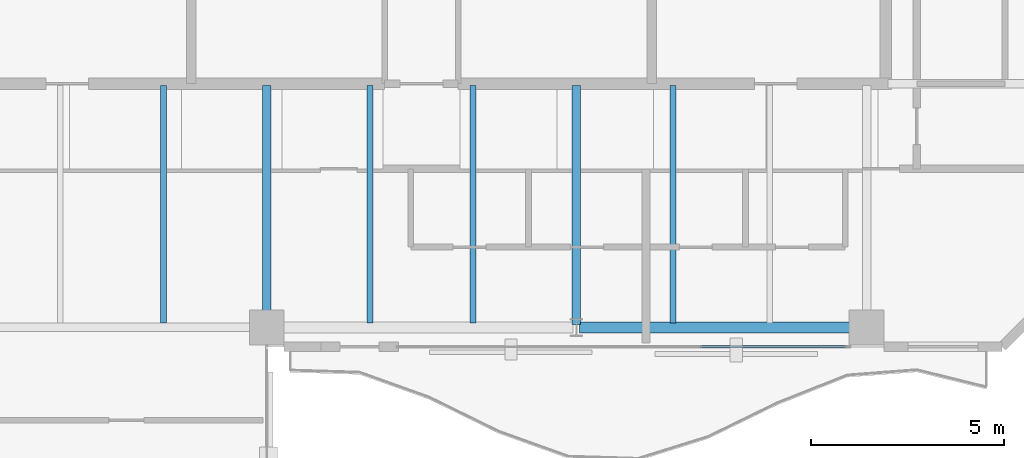
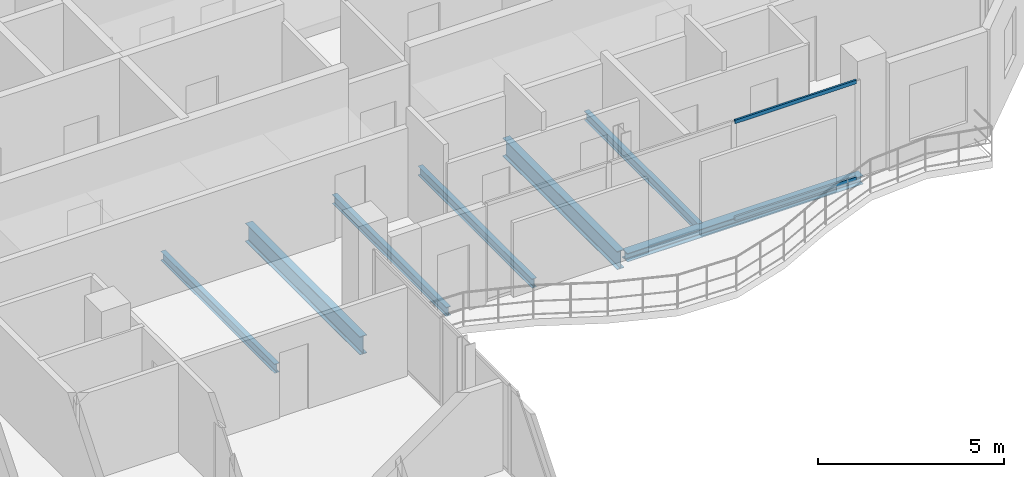
# One storey, part 13 of 22: 7 beams, 2 members, 1 element without a shape of its own.
"""IFC4 building model written with IfcOpenShell, lengths in metres."""

from ifc_helpers import new_model, si_unit, direction, frame, origin, origin_2d, place, context, subcontext, project, spatial, hollow_rectangle, i_section, extrude, material, layer, layer_set, material_profile, profile_set, type_object, element, aggregate, save


model = new_model("IFC4")

# Units and contexts
model_context = context("Model", 3, precision=1e-05, world=origin(), true_north=direction((0.0, 1.0)))
body_context = subcontext(model_context, "Body", "Model", "MODEL_VIEW")
ifc_project = project(units=[si_unit("LENGTHUNIT", "METRE"), si_unit("AREAUNIT", "SQUARE_METRE"), si_unit("VOLUMEUNIT", "CUBIC_METRE"), si_unit("PLANEANGLEUNIT", "RADIAN"), si_unit("MASSUNIT", "GRAM", prefix="KILO")], contexts=[model_context])

# Site, building, storey
site_placement = place(None, origin())
site = spatial("IfcSite", under=ifc_project, at=site_placement, CompositionType="ELEMENT")
building_placement = place(site_placement, origin())
building = spatial("IfcBuilding", under=site, at=building_placement, Name="Catumbela Crestline Tower", CompositionType="ELEMENT")
storey_placement = place(building_placement, frame((0.0, 0.0, 226.0)))
storey = spatial("IfcBuildingStorey", under=building, at=storey_placement, Name="L58", CompositionType="ELEMENT", Elevation=226.0)

# Beams
ifc_material_1 = material(Name="Structural steel S355J2", Category="steel")
ifc_material_profile_1 = material_profile(ifc_material_1, i_section(OverallWidth=0.22, OverallDepth=0.6, WebThickness=0.012, FlangeThickness=0.019, FilletRadius=0.024, at=origin_2d()), Name="IPE 600")
ifc_profile_set_1 = profile_set([ifc_material_profile_1], Name="Structural steel S355J2")
beam_type_1 = type_object("IfcBeamType", Name="BG-IPE600", PredefinedType="BEAM", material=ifc_profile_set_1)
for number, where, z_axis, x_axis, name in (
    (1, (24.0, 24.58, -0.56), (0.0, 1.0, 0.0), (-1.0, 0.0, 0.0), "L58 Beam BM-L58-SNS16"),
    (2, (32.0, 24.58, -0.56), (0.0, 1.0, 0.0), (-1.0, 0.0, 0.0), "L58 Beam BM-L58-SNS17"),
):
    element("IfcBeam", number, at=place(storey_placement, frame(where, z_axis=z_axis, x_axis=x_axis)), inside=storey, type_object=beam_type_1, Name=name, PredefinedType="BEAM", context=body_context, shape_type="SweptSolid", body=[
        extrude(i_section(OverallWidth=0.22, OverallDepth=0.6, WebThickness=0.012, FlangeThickness=0.019, FilletRadius=0.024, at=origin_2d()), origin(), (0.0, 0.0, 1.0), 6.17),
    ])
ifc_material_profile_2 = material_profile(ifc_material_1, i_section(OverallWidth=0.15, OverallDepth=0.3, WebThickness=0.0071, FlangeThickness=0.0107, FilletRadius=0.015, at=origin_2d()), Name="IPE 300")
ifc_profile_set_2 = profile_set([ifc_material_profile_2], Name="Structural steel S355J2")
beam_type_2 = type_object("IfcBeamType", Name="BJ-IPE300", PredefinedType="JOIST", material=ifc_profile_set_2)
for number, where, z_axis, x_axis, name in (
    (3, (21.333, 24.61, -0.41), (0.0, 1.0, 0.0), (-1.0, 0.0, 0.0), "L58 Joist JS-L58-SP22"),
    (4, (26.667, 24.61, -0.41), (0.0, 1.0, 0.0), (-1.0, 0.0, 0.0), "L58 Joist JS-L58-SP23"),
    (5, (29.333, 24.61, -0.41), (0.0, 1.0, 0.0), (-1.0, 0.0, 0.0), "L58 Joist JS-L58-SP24"),
    (6, (34.5, 24.61, -0.41), (0.0, 1.0, 0.0), (-1.0, 0.0, 0.0), "L58 Joist JS-L58-SP25"),
):
    element("IfcBeam", number, at=place(storey_placement, frame(where, z_axis=z_axis, x_axis=x_axis)), inside=storey, type_object=beam_type_2, Name=name, PredefinedType="JOIST", context=body_context, shape_type="SweptSolid", body=[
        extrude(i_section(OverallWidth=0.15, OverallDepth=0.3, WebThickness=0.0071, FlangeThickness=0.0107, FilletRadius=0.015, at=origin_2d()), origin(), (0.0, 0.0, 1.0), 6.14),
    ])
ifc_material_profile_3 = material_profile(ifc_material_1, i_section(OverallWidth=0.28, OverallDepth=0.28, WebThickness=0.0105, FlangeThickness=0.018, FilletRadius=0.024, at=origin_2d()), Name="HEB 280")
ifc_profile_set_3 = profile_set([ifc_material_profile_3], Name="Structural steel S355J2")
beam_type_3 = type_object("IfcBeamType", Name="BS-HEB280", PredefinedType="SPANDREL", material=ifc_profile_set_3)
beam_placement = place(storey_placement, frame((32.08, 24.5, -0.4), z_axis=(1.0, 0.0, 0.0), x_axis=(0.0, 1.0, 0.0)))
element("IfcBeam", 7, at=beam_placement, inside=storey, type_object=beam_type_3, Name="L58 Spandrel SP-L58-S05", PredefinedType="SPANDREL", context=body_context, shape_type="SweptSolid", body=[
    extrude(i_section(OverallWidth=0.28, OverallDepth=0.28, WebThickness=0.0105, FlangeThickness=0.018, FilletRadius=0.024, at=origin_2d()), origin(), (0.0, 0.0, 1.0), 7.34),
])

# Curtain wall, members
ifc_material_2 = material(Name="Aluminium alloy AW-6060-T66", Category="aluminium")
ifc_layer = layer(ifc_material_2, 0.18, Name="Aluminium alloy AW-6060-T66")
ifc_layer_set = layer_set([ifc_layer], Name="Aluminium alloy AW-6060-T66")
curtain_wall_type = type_object("IfcCurtainWallType", Name="CWU-Z4", PredefinedType="USERDEFINED", material=ifc_layer_set)
curtain_wall_placement = place(storey_placement, origin())
curtain_wall = element("IfcCurtainWall", 8, at=curtain_wall_placement, inside=storey, type_object=curtain_wall_type, Name="L58 Unitised Curtain Wall CW-L58-E3S2", ObjectType="UNITISED", PredefinedType="USERDEFINED")
ifc_material_profile_4 = material_profile(ifc_material_2, hollow_rectangle(XDim=0.06, YDim=0.12, WallThickness=0.0035, at=origin_2d()), Name="ALU 120x60x3.5")
ifc_profile_set_4 = profile_set([ifc_material_profile_4], Name="Aluminium alloy AW-6060-T66")
member_type = type_object("IfcMemberType", Name="TRN-120X60", PredefinedType="USERDEFINED", material=ifc_profile_set_4)
member_1_placement = place(storey_placement, frame((35.1992, 24.0, 0.03), z_axis=(1.0, 0.0, 0.0), x_axis=(0.0, 1.0, 0.0)))
member_1 = element("IfcMember", 9, at=member_1_placement, type_object=member_type, Name="CWU-Z4 transom 3.1", ObjectType="TRANSOM", PredefinedType="USERDEFINED", context=body_context, shape_type="SweptSolid", body=[
    extrude(hollow_rectangle(XDim=0.06, YDim=0.12, WallThickness=0.0035, at=origin_2d()), origin(), (0.0, 0.0, 1.0), 3.7858),
])
member_2_placement = place(storey_placement, frame((35.1992, 24.0, 3.21), z_axis=(1.0, 0.0, 0.0), x_axis=(0.0, 1.0, 0.0)))
member_2 = element("IfcMember", 10, at=member_2_placement, type_object=member_type, Name="CWU-Z4 transom 3.2", ObjectType="TRANSOM", PredefinedType="USERDEFINED", context=body_context, shape_type="SweptSolid", body=[
    extrude(hollow_rectangle(XDim=0.06, YDim=0.12, WallThickness=0.0035, at=origin_2d()), origin(), (0.0, 0.0, 1.0), 3.7858),
])
aggregate(curtain_wall, [member_1, member_2])

save(model, "model.ifc")
